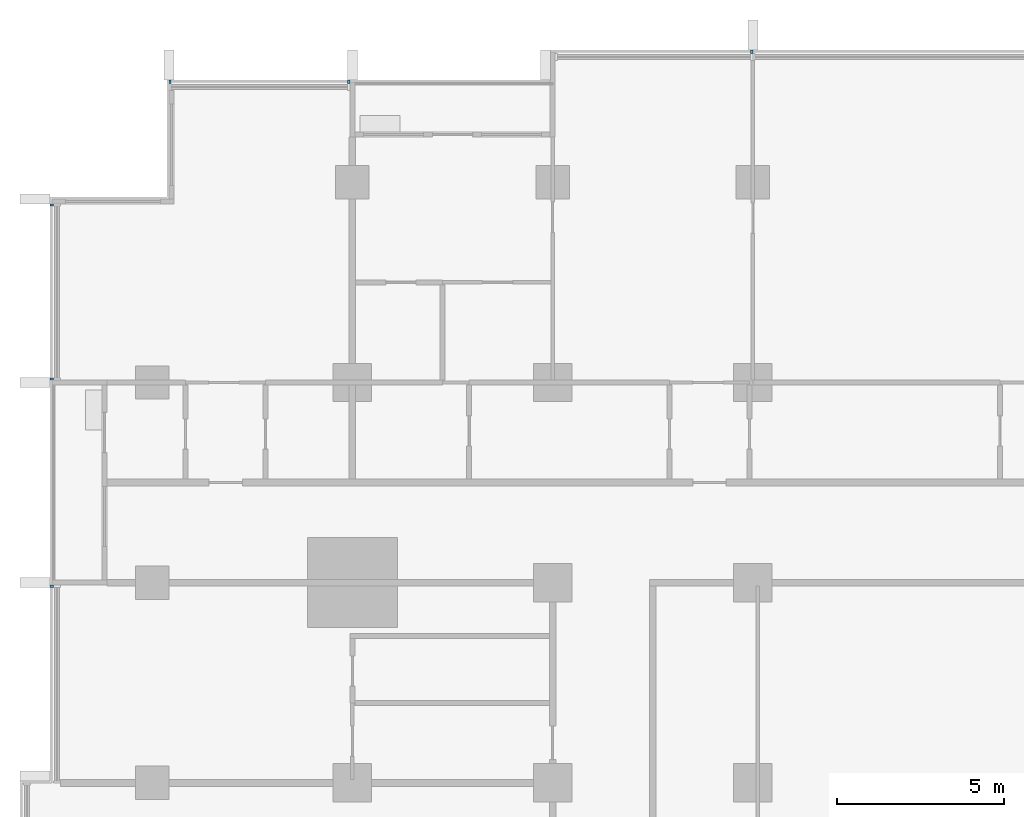
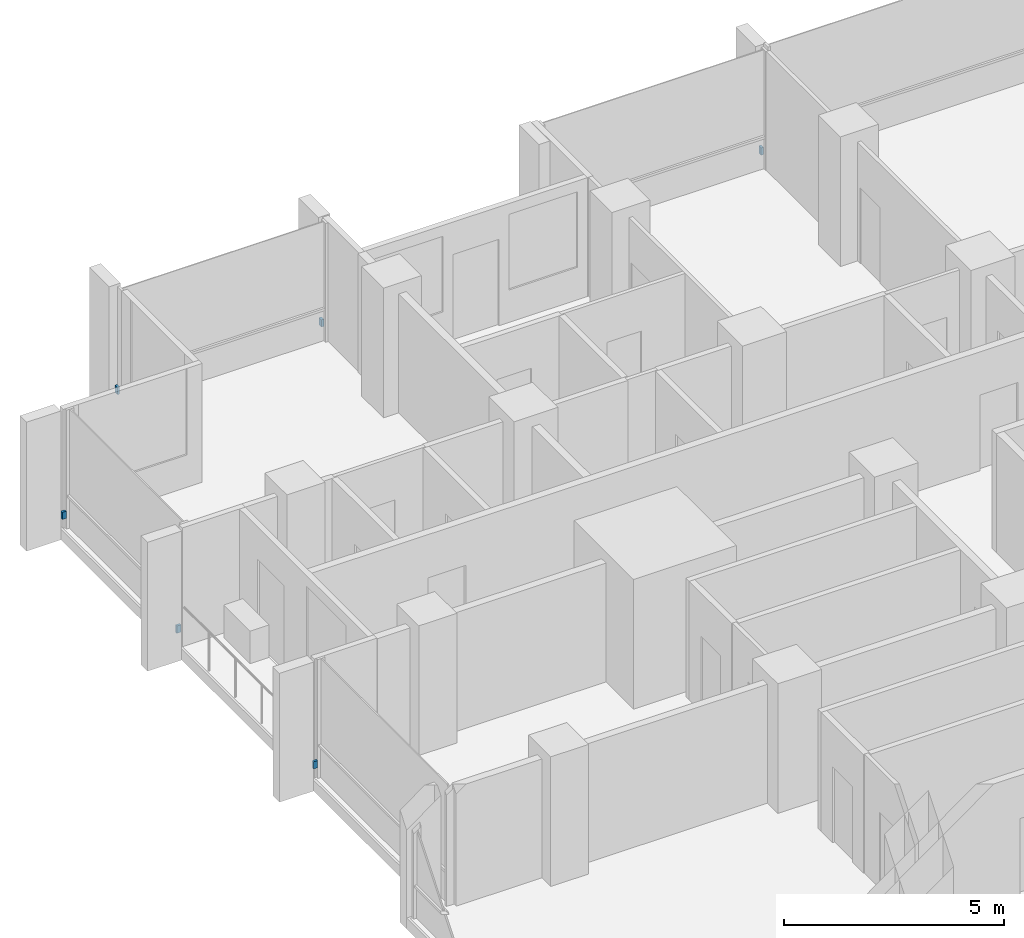
# One storey, part 15 of 17: 6 discrete accessories.
"""IFC4 building model written with IfcOpenShell, lengths in metres."""

from ifc_helpers import new_model, si_unit, direction, frame, origin, origin_2d, place, context, subcontext, project, spatial, rectangle, extrude, material, type_object, element, save


model = new_model("IFC4")

# Units and contexts
model_context = context("Model", 3, precision=1e-05, world=origin(), true_north=direction((0.0, 1.0)))
body_context = subcontext(model_context, "Body", "Model", "MODEL_VIEW")
ifc_project = project(units=[si_unit("LENGTHUNIT", "METRE"), si_unit("AREAUNIT", "SQUARE_METRE"), si_unit("VOLUMEUNIT", "CUBIC_METRE"), si_unit("PLANEANGLEUNIT", "RADIAN"), si_unit("MASSUNIT", "GRAM", prefix="KILO")], contexts=[model_context])

# Site, building, storey
site_placement = place(None, origin())
site = spatial("IfcSite", under=ifc_project, at=site_placement, CompositionType="ELEMENT")
building_placement = place(site_placement, origin())
building = spatial("IfcBuilding", under=site, at=building_placement, Name="Finial Court Residences", CompositionType="ELEMENT")
storey_placement = place(building_placement, frame((0.0, 0.0, 120.699951171875)))
storey = spatial("IfcBuildingStorey", under=building, at=storey_placement, Name="L30", CompositionType="ELEMENT", Elevation=120.699951171875)

# Discrete accessories
ifc_material = material(Name="Stainless steel 316", Category="steel")
discrete_accessory_type = type_object("IfcDiscreteAccessoryType", Name="Fin bracket, stainless steel 65 x 110 x 200", PredefinedType="BRACKET", material=ifc_material)
for number, where, z_axis, x_axis, name in (
    (1, (-21.967529296875, 22.5048828125, 0.30029296875), (0.0, 0.0, 1.0), (1.0, 0.0, 0.0), "E-L30-FIN-N1-BRK"),
    (2, (-16.607421875, 22.5048828125, 0.30029296875), (0.0, 0.0, 1.0), (1.0, 0.0, 0.0), "E-L30-FIN-N2-BRK"),
    (3, (-4.532470703125, 23.405029296875, 0.30029296875), (0.0, 0.0, 1.0), (1.0, 0.0, 0.0), "E-L30-FIN-N4-BRK"),
):
    element("IfcDiscreteAccessory", number, at=place(storey_placement, frame(where, z_axis=z_axis, x_axis=x_axis)), inside=storey, type_object=discrete_accessory_type, Name=name, PredefinedType="BRACKET", context=body_context, shape_type="SweptSolid", body=[
        extrude(rectangle(XDim=0.06494140625, YDim=0.110107421875, at=origin_2d()), origin(), (0.0, 0.0, 1.0), 0.199951171875),
    ])
for number, where, z_axis, x_axis, name in (
    (4, (-25.5048828125, 7.392578125, 0.30029296875), (0.0, 0.0, 1.0), (1.0, 0.0, 0.0), "E-L30-FIN-W30-BRK"),
    (5, (-25.5048828125, 13.607421875, 0.30029296875), (0.0, 0.0, 1.0), (1.0, 0.0, 0.0), "E-L30-FIN-W31-BRK"),
    (6, (-25.5048828125, 18.8173828125, 0.30029296875), (0.0, 0.0, 1.0), (1.0, 0.0, 0.0), "E-L30-FIN-W32-BRK"),
):
    element("IfcDiscreteAccessory", number, at=place(storey_placement, frame(where, z_axis=z_axis, x_axis=x_axis)), inside=storey, type_object=discrete_accessory_type, Name=name, PredefinedType="BRACKET", context=body_context, shape_type="SweptSolid", body=[
        extrude(rectangle(XDim=0.110107421875, YDim=0.06494140625, at=origin_2d()), origin(), (0.0, 0.0, 1.0), 0.199951171875),
    ])

save(model, "model.ifc")
